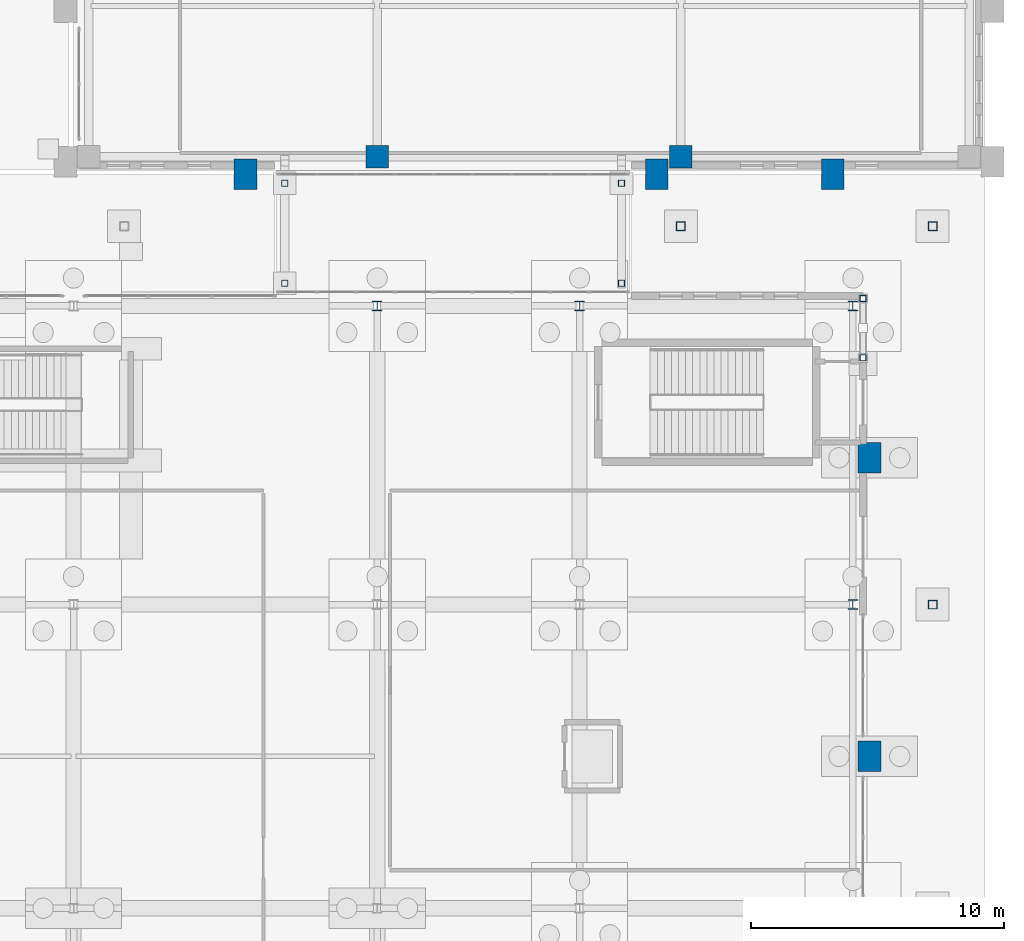
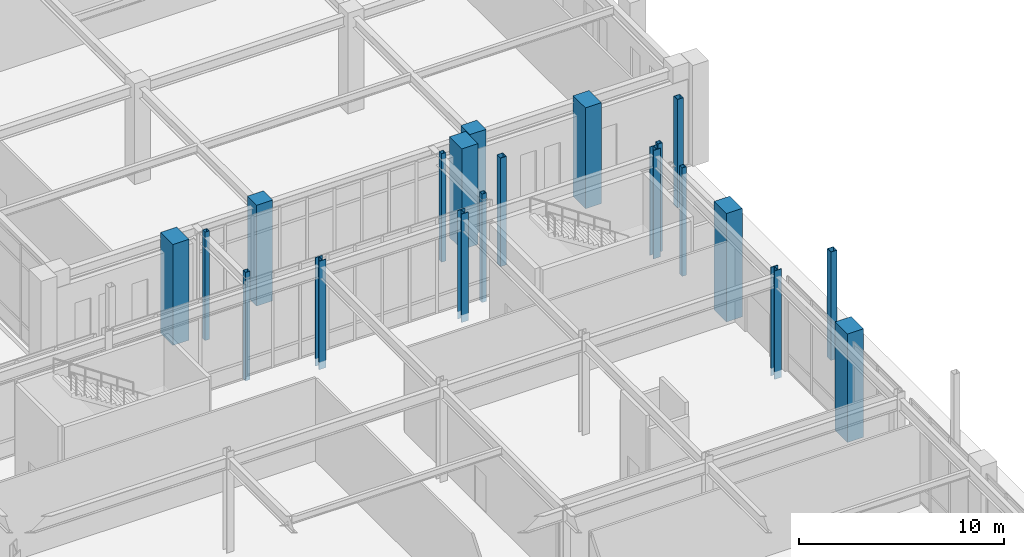
# One storey, part 18 of 143: 20 columns.
"""IFC4 building model written with IfcOpenShell, lengths in metres."""

import ifcopenshell
import ifcopenshell.guid

model = None  # the IFC model being written
_history = None  # IfcOwnerHistory: only IFC2X3 demands one
_inside = {}  # id of a spatial element -> (the spatial element, [elements in it])
_under = {}  # id of a project, library or spatial element -> (it, [spatial elements below it])
_declared = {}  # id of a project -> (the project, [libraries it declares])
_typed = {}  # id of a type object -> (the type object, [elements of that type])
_made_of = {}  # id of a material, layer set ... -> (it, [elements and type objects made of it])


def new_model(schema):
    """Start an empty IFC model of exactly this schema.

    Asked for "IFC4X3", IfcOpenShell would pick the latest addendum, in which some entities
    have other attributes; the version numbers below select the first issue.
    IFC2X3 requires an IfcOwnerHistory on every rooted entity: one is made here for all.
    """
    global model, _history
    if schema == "IFC4X3":
        model = ifcopenshell.file(schema_version=(4, 3, 0, 0))
    else:
        model = ifcopenshell.file(schema=schema)
    _inside.clear()
    _under.clear()
    _declared.clear()
    _typed.clear()
    _made_of.clear()
    _history = None
    if model.schema == "IFC2X3":
        org = make("IfcOrganization", Name="unknown")
        user = make(
            "IfcPersonAndOrganization",
            ThePerson=make("IfcPerson", FamilyName="unknown"),
            TheOrganization=org,
        )
        app = make(
            "IfcApplication",
            ApplicationDeveloper=org,
            Version="unknown",
            ApplicationFullName="unknown",
            ApplicationIdentifier="unknown",
        )
        _history = make(
            "IfcOwnerHistory",
            OwningUser=user,
            OwningApplication=app,
            ChangeAction="ADDED",
            CreationDate=0,
        )
    return model


def make(cls, **values):
    """One entity of the class cls with the attributes given. An attribute that is None is left unset."""
    return model.create_entity(
        cls, **{name: value for name, value in values.items() if value is not None}
    )


def rooted(cls, **values):
    """An entity with a GlobalId (a new one), such as an element, a storey or a relation."""
    return make(cls, GlobalId=ifcopenshell.guid.new(), OwnerHistory=_history, **values)


def si_unit(unit_type, name, prefix=None):
    """IfcSIUnit, for example si_unit("LENGTHUNIT", "METRE", prefix="MILLI")."""
    return make("IfcSIUnit", UnitType=unit_type, Prefix=prefix, Name=name)


def derived_unit(unit_type, elements):
    """IfcDerivedUnit: a product of units, each with its exponent."""
    return make(
        "IfcDerivedUnit",
        Elements=[
            make("IfcDerivedUnitElement", Unit=unit, Exponent=power)
            for unit, power in elements
        ],
        UnitType=unit_type,
    )


def assignment(units):
    """IfcUnitAssignment: the units of a project."""
    return None if units is None else make("IfcUnitAssignment", Units=units)


def point(xyz):
    """IfcCartesianPoint."""
    return None if xyz is None else make("IfcCartesianPoint", Coordinates=xyz)


def direction(xyz):
    """IfcDirection."""
    return None if xyz is None else make("IfcDirection", DirectionRatios=xyz)


def frame(location, z_axis=None, x_axis=None):
    """IfcAxis2Placement3D, a coordinate frame: its origin and axes. An axis left out is left unset."""
    return make(
        "IfcAxis2Placement3D",
        Location=point(location),
        Axis=direction(z_axis),
        RefDirection=direction(x_axis),
    )


def frame_2d(location, x_axis=None):
    """IfcAxis2Placement2D, a coordinate frame in the plane: its origin and x axis."""
    return make(
        "IfcAxis2Placement2D", Location=point(location), RefDirection=direction(x_axis)
    )


def origin():
    """The frame at (0, 0, 0) with its axes left unset."""
    return frame((0.0, 0.0, 0.0))


def origin_2d():
    """The frame at (0, 0) in the plane with its x axis left unset."""
    return frame_2d((0.0, 0.0))


def place(relative_to, where):
    """IfcLocalPlacement: puts the frame where relative to a parent placement (None: the world)."""
    return make(
        "IfcLocalPlacement", PlacementRelTo=relative_to, RelativePlacement=where
    )


def context(
    kind, dimensions, precision=None, world=None, true_north=None, identifier=None
):
    """IfcGeometricRepresentationContext, for example the 3D "Model" context."""
    return make(
        "IfcGeometricRepresentationContext",
        ContextIdentifier=identifier,
        ContextType=kind,
        CoordinateSpaceDimension=dimensions,
        Precision=precision,
        WorldCoordinateSystem=world,
        TrueNorth=true_north,
    )


def subcontext(parent, identifier, kind, view, scale=None):
    """IfcGeometricRepresentationSubContext, for example "Body" below "Model"."""
    return make(
        "IfcGeometricRepresentationSubContext",
        ContextIdentifier=identifier,
        ContextType=kind,
        ParentContext=parent,
        TargetScale=scale,
        TargetView=view,
    )


def project(units=None, contexts=None):
    """IfcProject with its units and contexts."""
    return rooted(
        "IfcProject",
        Name="project",
        RepresentationContexts=contexts,
        UnitsInContext=assignment(units),
    )


def spatial(cls, under=None, at=None, **own):
    """A site, building, storey or space (cls), placed at a placement, below another one or the project."""
    s = rooted(cls, ObjectPlacement=at, **own)
    if under is not None:
        _under.setdefault(under.id(), (under, []))[1].append(s)
    return s


def profile(cls, at=None, kind="AREA", **sizes):
    """A parametric profile (cls). Its sizes go by their IFC names, for example OverallWidth=200.0."""
    return make(cls, ProfileType=kind, Position=at, **sizes)


def rectangle(**sizes):
    """IfcRectangleProfileDef."""
    return profile("IfcRectangleProfileDef", **sizes)


def hollow_rectangle(**sizes):
    """IfcRectangleHollowProfileDef."""
    return profile("IfcRectangleHollowProfileDef", **sizes)


def i_section(**sizes):
    """IfcIShapeProfileDef."""
    return profile("IfcIShapeProfileDef", **sizes)


def extrude(swept, where, along, depth):
    """IfcExtrudedAreaSolid: the profile swept, set in the frame where, extruded along a direction by depth."""
    return make(
        "IfcExtrudedAreaSolid",
        SweptArea=swept,
        Position=where,
        ExtrudedDirection=direction(along),
        Depth=depth,
    )


def shape(context_of_items, identifier, shape_type, items):
    """IfcShapeRepresentation: the items that make up one representation, for example the "Body"."""
    return make(
        "IfcShapeRepresentation",
        ContextOfItems=context_of_items,
        RepresentationIdentifier=identifier,
        RepresentationType=shape_type,
        Items=items,
    )


def material(Name=None, Category=None):
    """IfcMaterial."""
    return make("IfcMaterial", Name=Name, Category=Category)


def material_profile(
    of_material, cross_section, Name=None, Category=None, Priority=None
):
    """IfcMaterialProfile: a cross section and its material."""
    return make(
        "IfcMaterialProfile",
        Name=Name,
        Material=of_material,
        Profile=cross_section,
        Priority=Priority,
        Category=Category,
    )


def profile_set(profiles, Name=None, composite=None):
    """IfcMaterialProfileSet."""
    return make(
        "IfcMaterialProfileSet",
        Name=Name,
        MaterialProfiles=profiles,
        CompositeProfile=composite,
    )


def made_of(thing, what):
    """Note that an element or type object is made of a material, layer set ...; save() writes the relation."""
    if what is not None:
        _made_of.setdefault(what.id(), (what, []))[1].append(thing)
    return thing


def type_object(cls, material=None, **own):
    """A type object (cls), such as IfcWallType, which elements share."""
    return made_of(rooted(cls, **own), material)


def element(
    cls,
    number,
    at=None,
    inside=None,
    cuts=None,
    type_object=None,
    material=None,
    context=None,
    identifier="Body",
    shape_type=None,
    held_by="IfcProductDefinitionShape",
    body=None,
    shapes=None,
    **own,
):
    """One element of the class cls, such as IfcWall. Its Tag is "e" and its number.

    at: its placement. inside: the storey or other place that contains it. cuts: it is an
    opening in that element (IfcRelVoidsElement). A single representation is given by context,
    identifier, shape_type and body (its items); several are given by shapes. held_by: the class
    of the entity that holds the representations. save() writes the other relations.
    """
    e = rooted(cls, Tag="e%d" % number, ObjectPlacement=at, **own)
    if body is not None:
        shapes = [shape(context, identifier, shape_type, body)]
    if shapes is not None:
        e.Representation = make(held_by, Representations=shapes)
    if inside is not None:
        _inside.setdefault(inside.id(), (inside, []))[1].append(e)
    if cuts is not None:
        rooted(
            "IfcRelVoidsElement", RelatingBuildingElement=cuts, RelatedOpeningElement=e
        )
    if type_object is not None:
        _typed.setdefault(type_object.id(), (type_object, []))[1].append(e)
    return made_of(e, material)


def aggregate(whole, parts):
    """IfcRelAggregates: a whole, such as a stair, and the parts it consists of."""
    return rooted("IfcRelAggregates", RelatingObject=whole, RelatedObjects=parts)


def save(model, path):
    """Write the relations noted so far, then the file.

    IfcRelAggregates (storeys below a building ...), IfcRelContainedInSpatialStructure (elements
    in a storey), IfcRelDefinesByType, IfcRelAssociatesMaterial and IfcRelDeclares: one each for
    every whole, place, type object, material and project.
    """
    for whole, parts in _under.values():
        aggregate(whole, parts)
    for where, things in _inside.values():
        rooted(
            "IfcRelContainedInSpatialStructure",
            RelatedElements=things,
            RelatingStructure=where,
        )
    for kind, things in _typed.values():
        rooted("IfcRelDefinesByType", RelatedObjects=things, RelatingType=kind)
    for what, things in _made_of.values():
        rooted("IfcRelAssociatesMaterial", RelatedObjects=things, RelatingMaterial=what)
    for by, libraries in _declared.values():
        rooted("IfcRelDeclares", RelatingContext=by, RelatedDefinitions=libraries)
    model.write(path)


model = new_model("IFC4")

# Units and contexts
model_context = context("Model", 3, precision=1e-05, world=origin(), true_north=direction((0.0, 1.0)))
body_context = subcontext(model_context, "Body", "Model", "MODEL_VIEW")
ifc_project = project(units=[si_unit("LENGTHUNIT", "METRE"), si_unit("AREAUNIT", "SQUARE_METRE"), si_unit("VOLUMEUNIT", "CUBIC_METRE"), si_unit("PLANEANGLEUNIT", "RADIAN"), si_unit("MASSUNIT", "GRAM", prefix="KILO"), derived_unit("THERMALTRANSMITTANCEUNIT", [(si_unit("MASSUNIT", "GRAM", prefix="KILO"), 1), (si_unit("TIMEUNIT", "SECOND"), -3), (si_unit("THERMODYNAMICTEMPERATUREUNIT", "KELVIN"), -1)])], contexts=[model_context])

# Site, building, storey
site_placement = place(None, origin())
site = spatial("IfcSite", under=ifc_project, at=site_placement, CompositionType="ELEMENT")
building_placement = place(site_placement, origin())
building = spatial("IfcBuilding", under=site, at=building_placement, Name="Valcora Ridge Arena", CompositionType="ELEMENT")
storey_placement = place(building_placement, origin())
storey = spatial("IfcBuildingStorey", under=building, at=storey_placement, Name="L00", CompositionType="ELEMENT", Elevation=0.0)

# Columns
ifc_material_1 = material(Name="Steel ASTM A500 Grade C", Category="steel")
ifc_material_profile_1 = material_profile(ifc_material_1, hollow_rectangle(XDim=0.25, YDim=0.25, WallThickness=0.012451171875, at=origin_2d()), Name="HSS250X250X12")
ifc_profile_set_1 = profile_set([ifc_material_profile_1], Name="Steel ASTM A500 Grade C")
column_type_1 = type_object("IfcColumnType", Name="TY-COLUMN-C-BRG250", PredefinedType="COLUMN", material=ifc_profile_set_1)
for number, where, z_axis, x_axis, name in (
    (1, (164.35009765625, 78.699951171875, -0.449951171875), (0.0, 0.0, 1.0), (1.0, 0.0, 0.0), "C-BRG250 COL-BG-C-BRG250-0017"),
    (2, (177.64990234375, 78.699951171875, -0.449951171875), (0.0, 0.0, 1.0), (1.0, 0.0, 0.0), "C-BRG250 COL-BG-C-BRG250-0020"),
    (3, (164.35009765625, 82.64990234375, -0.449951171875), (0.0, 0.0, 1.0), (1.0, 0.0, 0.0), "C-BRG250 COL-BG-C-BRG250-0023"),
    (4, (177.64990234375, 82.64990234375, -0.449951171875), (0.0, 0.0, 1.0), (1.0, 0.0, 0.0), "C-BRG250 COL-BG-C-BRG250-0026"),
):
    element("IfcColumn", number, at=place(storey_placement, frame(where, z_axis=z_axis, x_axis=x_axis)), inside=storey, type_object=column_type_1, Name=name, PredefinedType="COLUMN", context=body_context, shape_type="SweptSolid", body=[
        extrude(hollow_rectangle(XDim=0.25, YDim=0.25, WallThickness=0.012451171875, at=origin_2d()), origin(), (0.0, 0.0, 1.0), 6.449951171875),
    ])
ifc_material_2 = material(Name="Bush-hammered Andean travertine architectural concrete C45/55", Category="masonry")
ifc_material_profile_2 = material_profile(ifc_material_2, rectangle(XDim=0.89990234375, YDim=1.199951171875, at=origin_2d()), Name="RC 900x1200")
ifc_profile_set_2 = profile_set([ifc_material_profile_2], Name="Bush-hammered Andean travertine architectural concrete C45/55")
column_type_2 = type_object("IfcColumnType", Name="TY-COLUMN-C-BUTT-1200", PredefinedType="PILASTER", material=ifc_profile_set_2)
for number, where, z_axis, x_axis, name in (
    (5, (162.800048828125, 83.0, 0.0), (0.0, 0.0, 1.0), (1.0, 0.0, 0.0), "C-BUTT-1200 COL-C-BUTT-1200-0264"),
    (6, (179.050048828125, 83.0, 0.0), (0.0, 0.0, 1.0), (1.0, 0.0, 0.0), "C-BUTT-1200 COL-C-BUTT-1200-0268"),
    (7, (186.0, 83.0, 0.0), (0.0, 0.0, 1.0), (1.0, 0.0, 0.0), "C-BUTT-1200 COL-C-BUTT-1200-0272"),
):
    element("IfcColumn", number, at=place(storey_placement, frame(where, z_axis=z_axis, x_axis=x_axis)), inside=storey, type_object=column_type_2, Name=name, PredefinedType="PILASTER", context=body_context, shape_type="SweptSolid", body=[
        extrude(rectangle(XDim=0.89990234375, YDim=1.199951171875, at=origin_2d()), origin(), (0.0, 0.0, 1.0), 6.0),
    ])
for number, where, z_axis, x_axis, name in (
    (8, (187.449951171875, 60.0, -0.449951171875), (0.0, 0.0, 1.0), (1.0, 0.0, 0.0), "C-BUTT-1200 COL-C-BUTT-1200-0383"),
    (9, (187.449951171875, 71.800048828125, -0.449951171875), (0.0, 0.0, 1.0), (1.0, 0.0, 0.0), "C-BUTT-1200 COL-C-BUTT-1200-0386"),
):
    element("IfcColumn", number, at=place(storey_placement, frame(where, z_axis=z_axis, x_axis=x_axis)), inside=storey, type_object=column_type_2, Name=name, PredefinedType="PILASTER", context=body_context, shape_type="SweptSolid", body=[
        extrude(rectangle(XDim=0.89990234375, YDim=1.199951171875, at=origin_2d()), origin(), (0.0, 0.0, 1.0), 6.449951171875),
    ])
ifc_material_profile_3 = material_profile(ifc_material_1, hollow_rectangle(XDim=0.25, YDim=0.25, WallThickness=0.012451171875, at=origin_2d()), Name="HSS250X250X12")
ifc_profile_set_3 = profile_set([ifc_material_profile_3], Name="Steel ASTM A500 Grade C")
column_type_3 = type_object("IfcColumnType", Name="TY-COLUMN-C-CBF250", PredefinedType="COLUMN", material=ifc_profile_set_3)
for number, where, z_axis, x_axis, name in (
    (10, (187.199951171875, 75.75, -0.449951171875), (0.0, 0.0, 1.0), (1.0, 0.0, 0.0), "C-CBF250 COL-CBF-C-CBF250-0007"),
    (11, (187.199951171875, 78.10009765625, -0.449951171875), (0.0, 0.0, 1.0), (1.0, 0.0, 0.0), "C-CBF250 COL-CBF-C-CBF250-0010"),
):
    element("IfcColumn", number, at=place(storey_placement, frame(where, z_axis=z_axis, x_axis=x_axis)), inside=storey, type_object=column_type_3, Name=name, PredefinedType="COLUMN", context=body_context, shape_type="SweptSolid", body=[
        extrude(hollow_rectangle(XDim=0.25, YDim=0.25, WallThickness=0.012451171875, at=origin_2d()), origin(), (0.0, 0.0, 1.0), 6.449951171875),
    ])
ifc_material_profile_4 = material_profile(ifc_material_1, hollow_rectangle(XDim=0.35009765625, YDim=0.35009765625, WallThickness=0.01611328125, at=origin_2d()), Name="HSS350X350X16")
ifc_profile_set_4 = profile_set([ifc_material_profile_4], Name="Steel ASTM A500 Grade C")
column_type_4 = type_object("IfcColumnType", Name="TY-COLUMN-C-COL350", PredefinedType="COLUMN", material=ifc_profile_set_4)
for number, where, z_axis, x_axis, name in (
    (12, (189.949951171875, 66.0, -0.449951171875), (0.0, 0.0, 1.0), (1.0, 0.0, 0.0), "C-COL350 COL-C-COL350-0037"),
    (13, (189.949951171875, 80.949951171875, -0.449951171875), (0.0, 0.0, 1.0), (1.0, 0.0, 0.0), "C-COL350 COL-C-COL350-0040"),
    (14, (180.0, 80.949951171875, -0.449951171875), (0.0, 0.0, 1.0), (1.0, 0.0, 0.0), "C-COL350 COL-C-COL350-0061"),
):
    element("IfcColumn", number, at=place(storey_placement, frame(where, z_axis=z_axis, x_axis=x_axis)), inside=storey, type_object=column_type_4, Name=name, PredefinedType="COLUMN", context=body_context, shape_type="SweptSolid", body=[
        extrude(hollow_rectangle(XDim=0.35009765625, YDim=0.35009765625, WallThickness=0.01611328125, at=origin_2d()), origin(), (0.0, 0.0, 1.0), 6.449951171875),
    ])
ifc_material_3 = material(Name="Concrete C40/50", Category="concrete")
ifc_material_profile_5 = material_profile(ifc_material_3, rectangle(XDim=0.89990234375, YDim=0.89990234375, at=origin_2d()), Name="RC 900x900")
ifc_profile_set_5 = profile_set([ifc_material_profile_5], Name="Concrete C40/50")
column_type_5 = type_object("IfcColumnType", Name="TY-COLUMN-C-RC900B", PredefinedType="COLUMN", material=ifc_profile_set_5)
for number, where, z_axis, x_axis, name in (
    (15, (168.0, 83.699951171875, 0.0), (0.0, 0.0, 1.0), (1.0, 0.0, 0.0), "C-RC900B COL-C-RC900B-0143"),
    (16, (180.0, 83.699951171875, 0.0), (0.0, 0.0, 1.0), (1.0, 0.0, 0.0), "C-RC900B COL-C-RC900B-0149"),
):
    element("IfcColumn", number, at=place(storey_placement, frame(where, z_axis=z_axis, x_axis=x_axis)), inside=storey, type_object=column_type_5, Name=name, PredefinedType="COLUMN", context=body_context, shape_type="SweptSolid", body=[
        extrude(rectangle(XDim=0.89990234375, YDim=0.89990234375, at=origin_2d()), origin(), (0.0, 0.0, 1.0), 6.0),
    ])
ifc_material_4 = material(Name="Steel ASTM A572 Grade 50", Category="steel")
ifc_material_profile_6 = material_profile(ifc_material_4, i_section(OverallWidth=0.39892578125, OverallDepth=0.385986328125, WebThickness=0.02099609375, FlangeThickness=0.033203125, FilletRadius=0.01806640625, at=origin_2d()), Name="W14X176")
ifc_profile_set_6 = profile_set([ifc_material_profile_6], Name="Steel ASTM A572 Grade 50")
column_type_6 = type_object("IfcColumnType", Name="TY-COLUMN-C-STL14A", PredefinedType="COLUMN", material=ifc_profile_set_6)
for number, where, z_axis, x_axis, name in (
    (17, (168.0, 77.800048828125, -0.449951171875), (0.0, 0.0, 1.0), (1.0, 0.0, 0.0), "C-STL14A COL-C-STL14A-0028"),
    (18, (176.0, 77.800048828125, -0.449951171875), (0.0, 0.0, 1.0), (1.0, 0.0, 0.0), "C-STL14A COL-C-STL14A-0034"),
    (19, (186.800048828125, 66.0, -0.449951171875), (0.0, 0.0, 1.0), (1.0, 0.0, 0.0), "C-STL14A COL-C-STL14A-0040"),
    (20, (186.800048828125, 77.800048828125, -0.449951171875), (0.0, 0.0, 1.0), (1.0, 0.0, 0.0), "C-STL14A COL-C-STL14A-0041"),
):
    element("IfcColumn", number, at=place(storey_placement, frame(where, z_axis=z_axis, x_axis=x_axis)), inside=storey, type_object=column_type_6, Name=name, PredefinedType="COLUMN", context=body_context, shape_type="SweptSolid", body=[
        extrude(i_section(OverallWidth=0.39892578125, OverallDepth=0.385986328125, WebThickness=0.02099609375, FlangeThickness=0.033203125, FilletRadius=0.01806640625, at=origin_2d()), origin(), (0.0, 0.0, 1.0), 6.449951171875),
    ])

save(model, "model.ifc")
